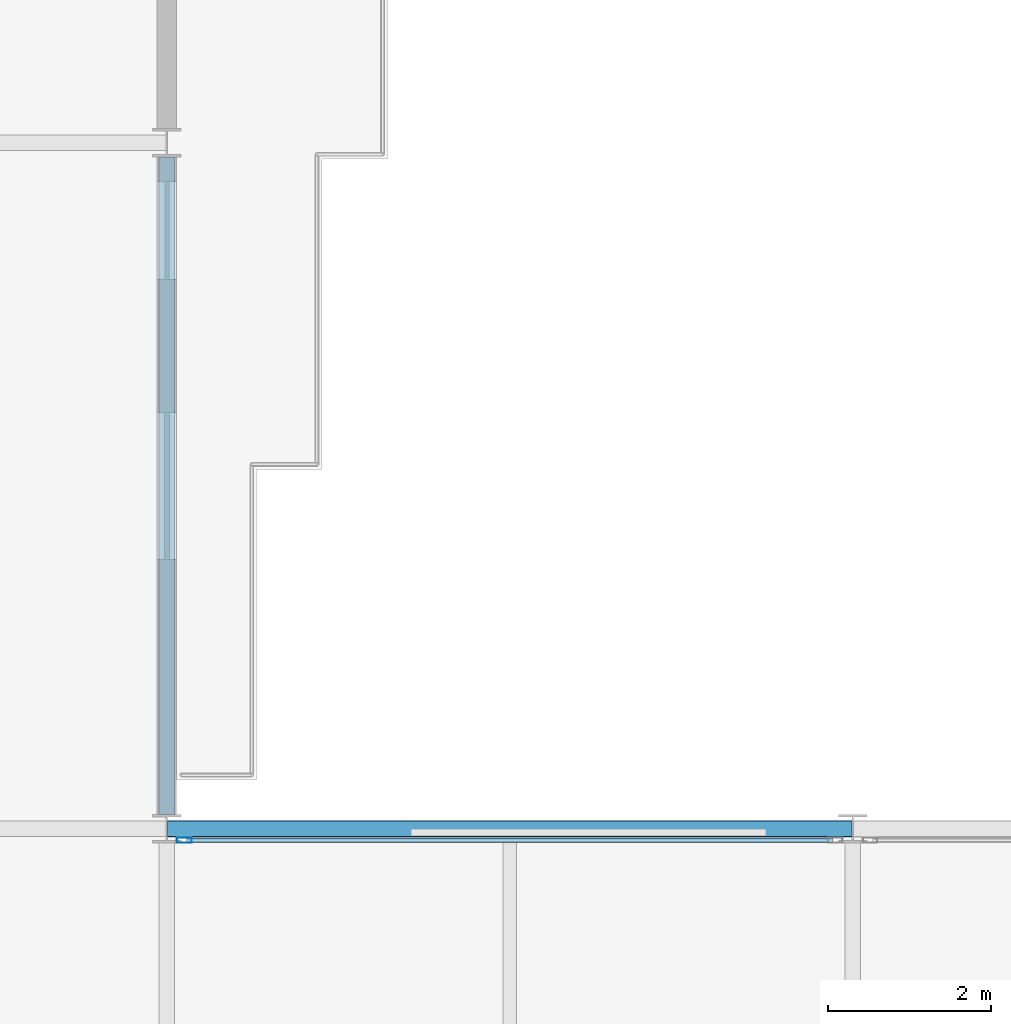
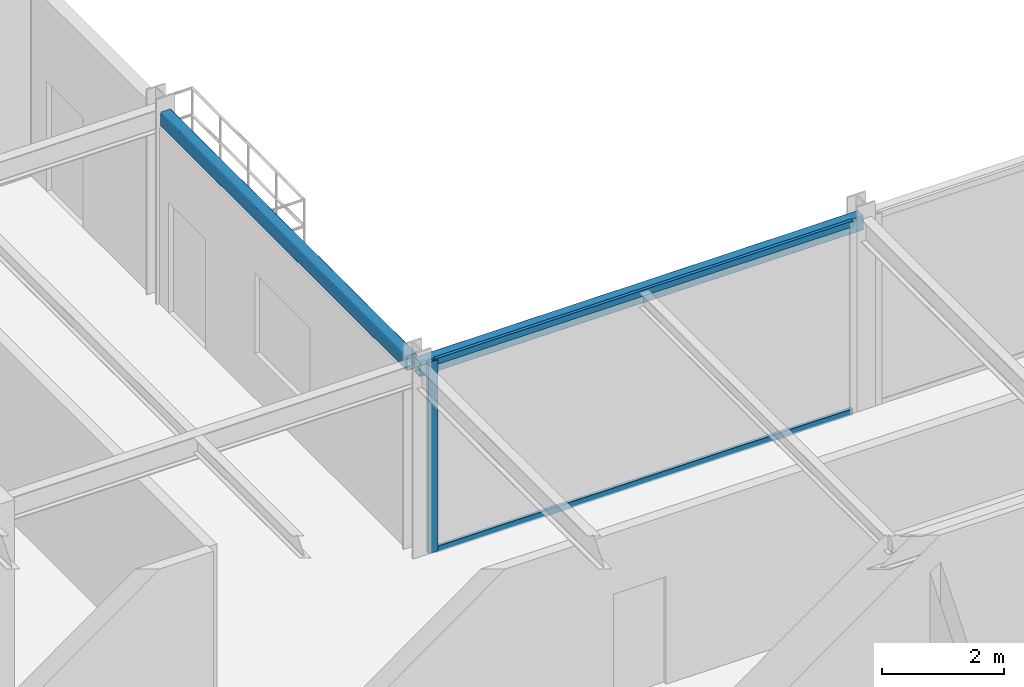
# One storey, part 12 of 25: 3 members, 2 beams, 1 element without a shape of its own.
"""IFC4 building model written with IfcOpenShell, lengths in metres."""

from ifc_helpers import new_model, si_unit, direction, frame, origin, origin_2d, place, context, subcontext, project, spatial, hollow_rectangle, extrude, material, layer, layer_set, material_profile, profile_set, type_object, element, aggregate, save


model = new_model("IFC4")

# Units and contexts
model_context = context("Model", 3, precision=1e-05, world=origin(), true_north=direction((0.0, 1.0)))
body_context = subcontext(model_context, "Body", "Model", "MODEL_VIEW")
ifc_project = project(units=[si_unit("LENGTHUNIT", "METRE"), si_unit("AREAUNIT", "SQUARE_METRE"), si_unit("VOLUMEUNIT", "CUBIC_METRE"), si_unit("PLANEANGLEUNIT", "RADIAN"), si_unit("MASSUNIT", "GRAM", prefix="KILO")], contexts=[model_context])

# Site, building, storey
site_placement = place(None, origin())
site = spatial("IfcSite", under=ifc_project, at=site_placement, CompositionType="ELEMENT")
building_placement = place(site_placement, origin())
building = spatial("IfcBuilding", under=site, at=building_placement, Name="Nerrivon Quay Data Exchange", CompositionType="ELEMENT")
storey_placement = place(building_placement, frame((0.0, 0.0, 224.699951171875)))
storey = spatial("IfcBuildingStorey", under=building, at=storey_placement, Name="L53", CompositionType="ELEMENT", Elevation=224.699951171875)

# Beams
ifc_material_1 = material(Name="Steel Grade C350L0 (350 MPa)", Category="steel")
ifc_material_profile_1 = material_profile(ifc_material_1, hollow_rectangle(XDim=0.199951171875, YDim=0.300048828125, WallThickness=0.012451171875, InnerFilletRadius=0.018798828125, OuterFilletRadius=0.03125, at=origin_2d()), Name="300x200x12.5RHS")
ifc_profile_set_1 = profile_set([ifc_material_profile_1], Name="Steel Grade C350L0 (350 MPa)")
beam_type = type_object("IfcBeamType", Name="BM-SP3-300x200RHS", PredefinedType="SPANDREL", material=ifc_profile_set_1)
beam_1_placement = place(storey_placement, frame((25.2099609375, 25.199951171875, 3.675048828125), z_axis=(1.0, 0.0, 0.0), x_axis=(0.0, 1.0, 0.0)))
element("IfcBeam", 1, at=beam_1_placement, inside=storey, type_object=beam_type, Name="L53 EW Girder Y=25.2 (25.2..33.6)", PredefinedType="SPANDREL", context=body_context, shape_type="SweptSolid", body=[
    extrude(hollow_rectangle(XDim=0.199951171875, YDim=0.300048828125, WallThickness=0.012451171875, InnerFilletRadius=0.018798828125, OuterFilletRadius=0.03125, at=origin_2d()), origin(), (0.0, 0.0, 1.0), 8.380126953125),
])
beam_2_placement = place(storey_placement, frame((25.199951171875, 25.375, 3.675048828125), z_axis=(0.0, 1.0, 0.0), x_axis=(-1.0, 0.0, 0.0)))
element("IfcBeam", 2, at=beam_2_placement, inside=storey, type_object=beam_type, Name="L53 NS Girder X=25.2 (25.2..33.6)", PredefinedType="SPANDREL", context=body_context, shape_type="SweptSolid", body=[
    extrude(hollow_rectangle(XDim=0.199951171875, YDim=0.300048828125, WallThickness=0.012451171875, InnerFilletRadius=0.018798828125, OuterFilletRadius=0.03125, at=origin_2d()), origin(), (0.0, 0.0, 1.0), 8.050048828125),
])

# Curtain wall, members
ifc_material_2 = material(Name="Anodised aluminium 6063-T6", Category="aluminium")
ifc_layer = layer(ifc_material_2, 0.195068359375)
ifc_layer_set = layer_set([ifc_layer], Name="Anodised aluminium 6063-T6")
curtain_wall_type = type_object("IfcCurtainWallType", Name="CW-SYS-06", PredefinedType="NOTDEFINED", material=ifc_layer_set)
curtain_wall_placement = place(storey_placement, origin())
curtain_wall = element("IfcCurtainWall", 3, at=curtain_wall_placement, inside=storey, type_object=curtain_wall_type, Name="L53 Unitised Curtain Wall 24", PredefinedType="NOTDEFINED")
ifc_material_profile_2 = material_profile(ifc_material_2, hollow_rectangle(XDim=0.06494140625, YDim=0.179931640625, WallThickness=0.00341796875, at=origin_2d()), Name="ALU-MULL-180x65")
ifc_profile_set_2 = profile_set([ifc_material_profile_2], Name="Anodised aluminium 6063-T6")
member_type_1 = type_object("IfcMemberType", Name="CWM-180x65", PredefinedType="MULLION", material=ifc_profile_set_2)
member_1_placement = place(storey_placement, frame((25.41259765625, 25.06005859375, 0.0), z_axis=(0.0, 0.0, 1.0), x_axis=(0.0, 1.0, 0.0)))
member_1 = element("IfcMember", 4, at=member_1_placement, type_object=member_type_1, Name="CW06 mullion 1", PredefinedType="MULLION", context=body_context, shape_type="SweptSolid", body=[
    extrude(hollow_rectangle(XDim=0.06494140625, YDim=0.179931640625, WallThickness=0.00341796875, at=origin_2d()), origin(), (0.0, 0.0, 1.0), 3.824951171875),
])
ifc_material_profile_3 = material_profile(ifc_material_2, hollow_rectangle(XDim=0.06005859375, YDim=0.1201171875, WallThickness=0.003173828125, at=origin_2d()), Name="ALU-TRAN-120x60")
ifc_profile_set_3 = profile_set([ifc_material_profile_3], Name="Anodised aluminium 6063-T6")
member_type_2 = type_object("IfcMemberType", Name="CWT-120x60", PredefinedType="USERDEFINED", material=ifc_profile_set_3)
member_2_placement = place(storey_placement, frame((25.449951171875, 25.06005859375, 0.032470703125), z_axis=(1.0, 0.0, 0.0), x_axis=(0.0, 1.0, 0.0)))
member_2 = element("IfcMember", 5, at=member_2_placement, type_object=member_type_2, Name="CW06 transom 1.1", ObjectType="TRANSOM", PredefinedType="USERDEFINED", context=body_context, shape_type="SweptSolid", body=[
    extrude(hollow_rectangle(XDim=0.06005859375, YDim=0.1201171875, WallThickness=0.003173828125, at=origin_2d()), origin(), (0.0, 0.0, 1.0), 7.900146484375),
])
member_3_placement = place(storey_placement, frame((25.449951171875, 25.06005859375, 3.79248046875), z_axis=(1.0, 0.0, 0.0), x_axis=(0.0, 1.0, 0.0)))
member_3 = element("IfcMember", 6, at=member_3_placement, type_object=member_type_2, Name="CW06 transom 1.2", ObjectType="TRANSOM", PredefinedType="USERDEFINED", context=body_context, shape_type="SweptSolid", body=[
    extrude(hollow_rectangle(XDim=0.06005859375, YDim=0.1201171875, WallThickness=0.003173828125, at=origin_2d()), origin(), (0.0, 0.0, 1.0), 7.900146484375),
])
aggregate(curtain_wall, [member_1, member_2, member_3])

save(model, "model.ifc")
